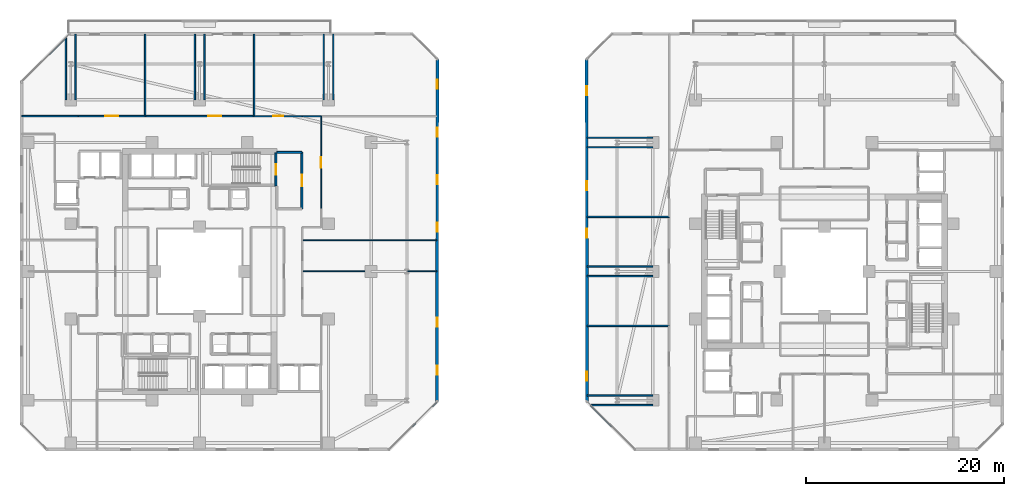
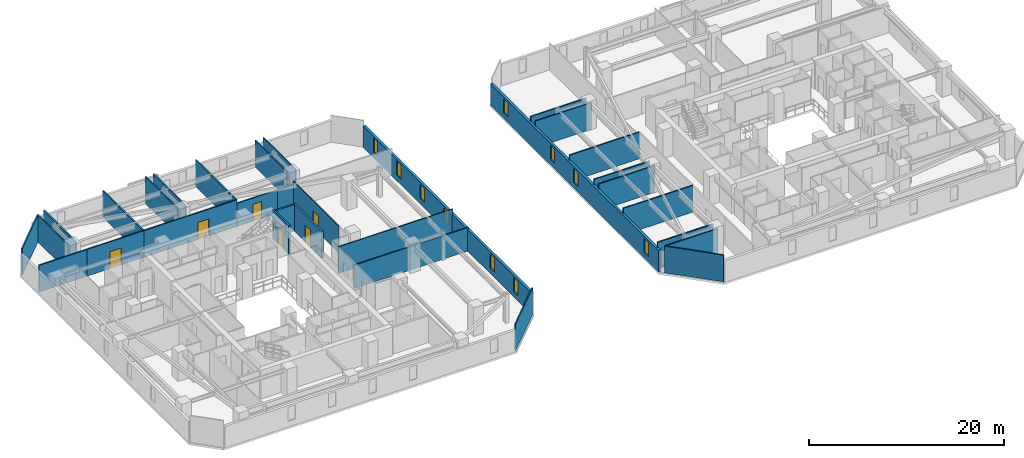
# One storey, part 19 of 31: 32 walls, 10 windows, 6 doors, 16 openings.
"""IFC4 building model written with IfcOpenShell, lengths in metres."""

from ifc_helpers import new_model, si_unit, direction, frame, frame_2d, origin, place, context, subcontext, project, spatial, rectangle, extrude, material, layer, layer_set, type_object, element, fill, save


model = new_model("IFC4")

# Units and contexts
model_context = context("Model", 3, precision=1e-05, world=origin(), true_north=direction((0.0, 1.0)))
body_context = subcontext(model_context, "Body", "Model", "MODEL_VIEW")
ifc_project = project(units=[si_unit("LENGTHUNIT", "METRE"), si_unit("AREAUNIT", "SQUARE_METRE"), si_unit("VOLUMEUNIT", "CUBIC_METRE"), si_unit("PLANEANGLEUNIT", "RADIAN"), si_unit("MASSUNIT", "GRAM", prefix="KILO")], contexts=[model_context])

# Site, building, storey
site_placement = place(None, origin())
site = spatial("IfcSite", under=ifc_project, at=site_placement, CompositionType="ELEMENT")
building_placement = place(site_placement, origin())
building = spatial("IfcBuilding", under=site, at=building_placement, Name="Thornwick Lancets Civic Towers", CompositionType="ELEMENT")
storey_placement = place(building_placement, frame((0.0, 0.0, 90.89990234375)))
storey = spatial("IfcBuildingStorey", under=building, at=storey_placement, Name="L23", CompositionType="ELEMENT", Elevation=90.89990234375)

# Wall, opening, door
ifc_material_1 = material(Name="Concrete blockwork C40/50", Category="masonry")
ifc_layer_1 = layer(ifc_material_1, 0.199951171875, Name="Concrete blockwork C40/50")
ifc_layer_set_1 = layer_set([ifc_layer_1], Name="Concrete blockwork C40/50")
wall_type_1 = type_object("IfcWallType", Name="WALL_COMP_200", PredefinedType="STANDARD", material=ifc_layer_set_1)
wall_1_placement = place(storey_placement, frame((35.800048828125, 33.300048828125, 0.0), z_axis=(0.0, 0.0, 1.0), x_axis=(0.0, 1.0, 0.0)))
wall_1 = element("IfcWall", 1, at=wall_1_placement, inside=storey, type_object=wall_type_1, Name="L23 Partition L23-A-FFLOB2 E2", PredefinedType="STANDARD", context=body_context, shape_type="SweptSolid", body=[
    extrude(rectangle(XDim=5.699951171875, YDim=0.199951171875, at=frame_2d((2.85009765625, 0.0))), origin(), (0.0, 0.0, 1.0), 3.340087890625),
])
opening_1_placement = place(wall_1_placement, frame((2.27490234375, 0.0, 0.0)))
opening_1 = element("IfcOpeningElement", 2, at=opening_1_placement, cuts=wall_1, Name="Opening D-L23-1058", PredefinedType="OPENING", context=body_context, shape_type="SweptSolid", body=[
    extrude(rectangle(XDim=1.14990234375, YDim=2.10009765625, at=frame_2d((0.574951171875, 1.050048828125))), frame((0.0, 0.10986328125, 0.0), z_axis=(0.0, -1.0, 0.0), x_axis=(1.0, 0.0, 0.0)), (0.0, 0.0, 1.0), 0.219970703125),
])
ifc_material_2 = material(Name="Glazed fire-resisting steel", Category="steel")
door_type_1 = type_object("IfcDoorType", Name="DOOR_LOBBY_FD60", OperationType="NOTDEFINED", PredefinedType="DOOR", material=ifc_material_2)
door_1_placement = place(opening_1_placement, origin())
door_1 = element("IfcDoor", 3, at=door_1_placement, inside=storey, type_object=door_type_1, Name="L23 North Firefighting Lobby 2 Door", OperationType="SINGLE_SWING_LEFT", OverallHeight=2.10009765625, OverallWidth=1.14990234375, PredefinedType="DOOR", context=body_context, shape_type="SweptSolid", body=[
    extrude(rectangle(XDim=1.14990234375, YDim=2.10009765625, at=frame_2d((0.574951171875, 1.050048828125))), frame((0.0, 0.02490234375, 0.0), z_axis=(0.0, -1.0, 0.0), x_axis=(1.0, 0.0, 0.0)), (0.0, 0.0, 1.0), 0.050048828125),
])
fill(opening_1, door_1)

# Wall
wall_2_placement = place(storey_placement, frame((35.800048828125, 39.0, 0.0), z_axis=(0.0, 0.0, 1.0), x_axis=(-1.0, 0.0, 0.0)))
element("IfcWall", 4, at=wall_2_placement, inside=storey, type_object=wall_type_1, Name="L23 Partition L23-A-FFLOB2 E3", PredefinedType="STANDARD", context=body_context, shape_type="SweptSolid", body=[
    extrude(rectangle(XDim=2.5, YDim=0.199951171875, at=frame_2d((1.25, 0.0))), origin(), (0.0, 0.0, 1.0), 3.340087890625),
])

# Wall, openings, windows
ifc_material_3 = material(Name="Insulated russet terracotta rainscreen on concrete C40/50", Category="masonry")
ifc_layer_2 = layer(ifc_material_3, 0.300048828125, Name="Insulated russet terracotta rainscreen on concrete C40/50")
ifc_layer_set_2 = layer_set([ifc_layer_2], Name="Insulated russet terracotta rainscreen on concrete C40/50")
wall_type_2 = type_object("IfcWallType", Name="WALL_EXT_RUSSET_300", PredefinedType="STANDARD", material=ifc_layer_set_2)
wall_3_placement = place(storey_placement, frame((49.457275390625, 13.900634765625, 0.0), z_axis=(0.0, 0.0, 1.0), x_axis=(0.000212414941, 0.99999997744, 0.0)))
wall_3 = element("IfcWall", 5, at=wall_3_placement, inside=storey, type_object=wall_type_2, Name="L23 Tower A Terracotta Facade Wall E2", PredefinedType="STANDARD", context=body_context, shape_type="SweptSolid", body=[
    extrude(rectangle(XDim=34.480712890625, YDim=0.300048828125, at=frame_2d((17.240234375, 0.0))), origin(), (0.0, 0.0, 1.0), 2.7001953125),
])
opening_2_placement = place(wall_3_placement, frame((2.699951171875, 0.0, 0.719970703125)))
opening_2 = element("IfcOpeningElement", 6, at=opening_2_placement, cuts=wall_3, Name="Opening WL-01", PredefinedType="OPENING", context=body_context, shape_type="SweptSolid", body=[
    extrude(rectangle(XDim=0.89990234375, YDim=1.75, at=frame_2d((0.449951171875, 0.875))), frame((0.0, 0.16015625, 0.0), z_axis=(0.0, -1.0, 0.0), x_axis=(1.0, 0.0, 0.0)), (0.0, 0.0, 1.0), 0.320068359375),
])
opening_3_placement = place(wall_3_placement, frame((7.5, 0.0, 0.719970703125)))
opening_3 = element("IfcOpeningElement", 7, at=opening_3_placement, cuts=wall_3, Name="Opening WL-01", PredefinedType="OPENING", context=body_context, shape_type="SweptSolid", body=[
    extrude(rectangle(XDim=0.89990234375, YDim=1.75, at=frame_2d((0.449951171875, 0.875))), frame((0.0, 0.16015625, 0.0), z_axis=(0.0, -1.0, 0.0), x_axis=(1.0, 0.0, 0.0)), (0.0, 0.0, 1.0), 0.320068359375),
])
opening_4_placement = place(wall_3_placement, frame((17.10009765625, 0.0, 0.719970703125)))
opening_4 = element("IfcOpeningElement", 8, at=opening_4_placement, cuts=wall_3, Name="Opening WL-01", PredefinedType="OPENING", context=body_context, shape_type="SweptSolid", body=[
    extrude(rectangle(XDim=0.89990234375, YDim=1.75, at=frame_2d((0.449951171875, 0.875))), frame((0.0, 0.16015625, 0.0), z_axis=(0.0, -1.0, 0.0), x_axis=(1.0, 0.0, 0.0)), (0.0, 0.0, 1.0), 0.320068359375),
])
opening_5_placement = place(wall_3_placement, frame((21.89990234375, 0.0, 0.719970703125)))
opening_5 = element("IfcOpeningElement", 9, at=opening_5_placement, cuts=wall_3, Name="Opening WL-01", PredefinedType="OPENING", context=body_context, shape_type="SweptSolid", body=[
    extrude(rectangle(XDim=0.89990234375, YDim=1.75, at=frame_2d((0.449951171875, 0.875))), frame((0.0, 0.16015625, 0.0), z_axis=(0.0, -1.0, 0.0), x_axis=(1.0, 0.0, 0.0)), (0.0, 0.0, 1.0), 0.320068359375),
])
opening_6_placement = place(wall_3_placement, frame((26.699951171875, 0.0, 0.719970703125)))
opening_6 = element("IfcOpeningElement", 10, at=opening_6_placement, cuts=wall_3, Name="Opening WL-01", PredefinedType="OPENING", context=body_context, shape_type="SweptSolid", body=[
    extrude(rectangle(XDim=0.89990234375, YDim=1.75, at=frame_2d((0.449951171875, 0.875))), frame((0.0, 0.16015625, 0.0), z_axis=(0.0, -1.0, 0.0), x_axis=(1.0, 0.0, 0.0)), (0.0, 0.0, 1.0), 0.320068359375),
])
opening_7_placement = place(wall_3_placement, frame((31.5, 0.0, 0.719970703125)))
opening_7 = element("IfcOpeningElement", 11, at=opening_7_placement, cuts=wall_3, Name="Opening WL-01", PredefinedType="OPENING", context=body_context, shape_type="SweptSolid", body=[
    extrude(rectangle(XDim=0.89990234375, YDim=1.75, at=frame_2d((0.449951171875, 0.875))), frame((0.0, 0.16015625, 0.0), z_axis=(0.0, -1.0, 0.0), x_axis=(1.0, 0.0, 0.0)), (0.0, 0.0, 1.0), 0.320068359375),
])
ifc_material_4 = material(Name="Clear low-e double glazing in bronze frame", Category="glass")
window_type = type_object("IfcWindowType", Name="WIN_LANCET_900", PartitioningType="SINGLE_PANEL", PredefinedType="WINDOW", material=ifc_material_4)
window_1_placement = place(opening_2_placement, origin())
window_1 = element("IfcWindow", 12, at=window_1_placement, inside=storey, type_object=window_type, Name="L23 Tower A Staggered Lancet Window E2-1", OverallHeight=1.75, OverallWidth=0.89990234375, PartitioningType="SINGLE_PANEL", PredefinedType="WINDOW", context=body_context, shape_type="SweptSolid", body=[
    extrude(rectangle(XDim=0.89990234375, YDim=1.75, at=frame_2d((0.449951171875, 0.875))), frame((0.0, 0.030029296875, 0.0), z_axis=(0.0, -1.0, 0.0), x_axis=(1.0, 0.0, 0.0)), (0.0, 0.0, 1.0), 0.06005859375),
])
fill(opening_2, window_1)
window_2_placement = place(opening_3_placement, origin())
window_2 = element("IfcWindow", 13, at=window_2_placement, inside=storey, type_object=window_type, Name="L23 Tower A Staggered Lancet Window E2-2", OverallHeight=1.75, OverallWidth=0.89990234375, PartitioningType="SINGLE_PANEL", PredefinedType="WINDOW", context=body_context, shape_type="SweptSolid", body=[
    extrude(rectangle(XDim=0.89990234375, YDim=1.75, at=frame_2d((0.449951171875, 0.875))), frame((0.0, 0.030029296875, 0.0), z_axis=(0.0, -1.0, 0.0), x_axis=(1.0, 0.0, 0.0)), (0.0, 0.0, 1.0), 0.06005859375),
])
fill(opening_3, window_2)
window_3_placement = place(opening_4_placement, origin())
window_3 = element("IfcWindow", 14, at=window_3_placement, inside=storey, type_object=window_type, Name="L23 Tower A Staggered Lancet Window E2-3", OverallHeight=1.75, OverallWidth=0.89990234375, PartitioningType="SINGLE_PANEL", PredefinedType="WINDOW", context=body_context, shape_type="SweptSolid", body=[
    extrude(rectangle(XDim=0.89990234375, YDim=1.75, at=frame_2d((0.449951171875, 0.875))), frame((0.0, 0.030029296875, 0.0), z_axis=(0.0, -1.0, 0.0), x_axis=(1.0, 0.0, 0.0)), (0.0, 0.0, 1.0), 0.06005859375),
])
fill(opening_4, window_3)
window_4_placement = place(opening_5_placement, origin())
window_4 = element("IfcWindow", 15, at=window_4_placement, inside=storey, type_object=window_type, Name="L23 Tower A Staggered Lancet Window E2-4", OverallHeight=1.75, OverallWidth=0.89990234375, PartitioningType="SINGLE_PANEL", PredefinedType="WINDOW", context=body_context, shape_type="SweptSolid", body=[
    extrude(rectangle(XDim=0.89990234375, YDim=1.75, at=frame_2d((0.449951171875, 0.875))), frame((0.0, 0.030029296875, 0.0), z_axis=(0.0, -1.0, 0.0), x_axis=(1.0, 0.0, 0.0)), (0.0, 0.0, 1.0), 0.06005859375),
])
fill(opening_5, window_4)
window_5_placement = place(opening_6_placement, origin())
window_5 = element("IfcWindow", 16, at=window_5_placement, inside=storey, type_object=window_type, Name="L23 Tower A Staggered Lancet Window E2-5", OverallHeight=1.75, OverallWidth=0.89990234375, PartitioningType="SINGLE_PANEL", PredefinedType="WINDOW", context=body_context, shape_type="SweptSolid", body=[
    extrude(rectangle(XDim=0.89990234375, YDim=1.75, at=frame_2d((0.449951171875, 0.875))), frame((0.0, 0.030029296875, 0.0), z_axis=(0.0, -1.0, 0.0), x_axis=(1.0, 0.0, 0.0)), (0.0, 0.0, 1.0), 0.06005859375),
])
fill(opening_6, window_5)
window_6_placement = place(opening_7_placement, origin())
window_6 = element("IfcWindow", 17, at=window_6_placement, inside=storey, type_object=window_type, Name="L23 Tower A Staggered Lancet Window E2-6", OverallHeight=1.75, OverallWidth=0.89990234375, PartitioningType="SINGLE_PANEL", PredefinedType="WINDOW", context=body_context, shape_type="SweptSolid", body=[
    extrude(rectangle(XDim=0.89990234375, YDim=1.75, at=frame_2d((0.449951171875, 0.875))), frame((0.0, 0.030029296875, 0.0), z_axis=(0.0, -1.0, 0.0), x_axis=(1.0, 0.0, 0.0)), (0.0, 0.0, 1.0), 0.06005859375),
])
fill(opening_7, window_6)

wall_4_placement = place(storey_placement, frame((64.535400390625, 48.38134765625, 0.0), z_axis=(0.0, 0.0, 1.0), x_axis=(0.000212414941, -0.99999997744, 0.0)))
wall_4 = element("IfcWall", 18, at=wall_4_placement, inside=storey, type_object=wall_type_2, Name="L23 Tower B Terracotta Facade Wall E6", PredefinedType="STANDARD", context=body_context, shape_type="SweptSolid", body=[
    extrude(rectangle(XDim=34.480712890625, YDim=0.300048828125, at=frame_2d((17.240234375, 0.0))), origin(), (0.0, 0.0, 1.0), 2.7001953125),
])
opening_8_placement = place(wall_4_placement, frame((2.699951171875, 0.0, 0.719970703125)))
opening_8 = element("IfcOpeningElement", 19, at=opening_8_placement, cuts=wall_4, Name="Opening WL-01", PredefinedType="OPENING", context=body_context, shape_type="SweptSolid", body=[
    extrude(rectangle(XDim=0.89990234375, YDim=1.75, at=frame_2d((0.449951171875, 0.875))), frame((0.0, 0.16015625, 0.0), z_axis=(0.0, -1.0, 0.0), x_axis=(1.0, 0.0, 0.0)), (0.0, 0.0, 1.0), 0.320068359375),
])
opening_9_placement = place(wall_4_placement, frame((12.300048828125, 0.0, 0.719970703125)))
opening_9 = element("IfcOpeningElement", 20, at=opening_9_placement, cuts=wall_4, Name="Opening WL-01", PredefinedType="OPENING", context=body_context, shape_type="SweptSolid", body=[
    extrude(rectangle(XDim=0.89990234375, YDim=1.75, at=frame_2d((0.449951171875, 0.875))), frame((0.0, 0.16015625, 0.0), z_axis=(0.0, -1.0, 0.0), x_axis=(1.0, 0.0, 0.0)), (0.0, 0.0, 1.0), 0.320068359375),
])
opening_10_placement = place(wall_4_placement, frame((17.10009765625, 0.0, 0.719970703125)))
opening_10 = element("IfcOpeningElement", 21, at=opening_10_placement, cuts=wall_4, Name="Opening WL-01", PredefinedType="OPENING", context=body_context, shape_type="SweptSolid", body=[
    extrude(rectangle(XDim=0.89990234375, YDim=1.75, at=frame_2d((0.449951171875, 0.875))), frame((0.0, 0.16015625, 0.0), z_axis=(0.0, -1.0, 0.0), x_axis=(1.0, 0.0, 0.0)), (0.0, 0.0, 1.0), 0.320068359375),
])
opening_11_placement = place(wall_4_placement, frame((31.5, 0.0, 0.719970703125)))
opening_11 = element("IfcOpeningElement", 22, at=opening_11_placement, cuts=wall_4, Name="Opening WL-01", PredefinedType="OPENING", context=body_context, shape_type="SweptSolid", body=[
    extrude(rectangle(XDim=0.89990234375, YDim=1.75, at=frame_2d((0.449951171875, 0.875))), frame((0.0, 0.16015625, 0.0), z_axis=(0.0, -1.0, 0.0), x_axis=(1.0, 0.0, 0.0)), (0.0, 0.0, 1.0), 0.320068359375),
])
window_7_placement = place(opening_8_placement, origin())
window_7 = element("IfcWindow", 23, at=window_7_placement, inside=storey, type_object=window_type, Name="L23 Tower B Staggered Lancet Window E6-1", OverallHeight=1.75, OverallWidth=0.89990234375, PartitioningType="SINGLE_PANEL", PredefinedType="WINDOW", context=body_context, shape_type="SweptSolid", body=[
    extrude(rectangle(XDim=0.89990234375, YDim=1.75, at=frame_2d((0.449951171875, 0.875))), frame((0.0, 0.030029296875, 0.0), z_axis=(0.0, -1.0, 0.0), x_axis=(1.0, 0.0, 0.0)), (0.0, 0.0, 1.0), 0.06005859375),
])
fill(opening_8, window_7)
window_8_placement = place(opening_9_placement, origin())
window_8 = element("IfcWindow", 24, at=window_8_placement, inside=storey, type_object=window_type, Name="L23 Tower B Staggered Lancet Window E6-2", OverallHeight=1.75, OverallWidth=0.89990234375, PartitioningType="SINGLE_PANEL", PredefinedType="WINDOW", context=body_context, shape_type="SweptSolid", body=[
    extrude(rectangle(XDim=0.89990234375, YDim=1.75, at=frame_2d((0.449951171875, 0.875))), frame((0.0, 0.030029296875, 0.0), z_axis=(0.0, -1.0, 0.0), x_axis=(1.0, 0.0, 0.0)), (0.0, 0.0, 1.0), 0.06005859375),
])
fill(opening_9, window_8)
window_9_placement = place(opening_10_placement, origin())
window_9 = element("IfcWindow", 25, at=window_9_placement, inside=storey, type_object=window_type, Name="L23 Tower B Staggered Lancet Window E6-3", OverallHeight=1.75, OverallWidth=0.89990234375, PartitioningType="SINGLE_PANEL", PredefinedType="WINDOW", context=body_context, shape_type="SweptSolid", body=[
    extrude(rectangle(XDim=0.89990234375, YDim=1.75, at=frame_2d((0.449951171875, 0.875))), frame((0.0, 0.030029296875, 0.0), z_axis=(0.0, -1.0, 0.0), x_axis=(1.0, 0.0, 0.0)), (0.0, 0.0, 1.0), 0.06005859375),
])
fill(opening_10, window_9)
window_10_placement = place(opening_11_placement, origin())
window_10 = element("IfcWindow", 26, at=window_10_placement, inside=storey, type_object=window_type, Name="L23 Tower B Staggered Lancet Window E6-4", OverallHeight=1.75, OverallWidth=0.89990234375, PartitioningType="SINGLE_PANEL", PredefinedType="WINDOW", context=body_context, shape_type="SweptSolid", body=[
    extrude(rectangle(XDim=0.89990234375, YDim=1.75, at=frame_2d((0.449951171875, 0.875))), frame((0.0, 0.030029296875, 0.0), z_axis=(0.0, -1.0, 0.0), x_axis=(1.0, 0.0, 0.0)), (0.0, 0.0, 1.0), 0.06005859375),
])
fill(opening_11, window_10)

# Walls
ifc_material_5 = material(Name="Acoustic gypsum board partition")
ifc_layer_3 = layer(ifc_material_5, 0.1201171875, Name="Acoustic gypsum board partition")
ifc_layer_set_3 = layer_set([ifc_layer_3], Name="Acoustic gypsum board partition")
wall_type_3 = type_object("IfcWallType", Name="WALL_PART_120", PredefinedType="PARTITIONING", material=ifc_layer_set_3)
wall_5_placement = place(storey_placement, frame((35.85009765625, 27.0, 0.0), z_axis=(0.0, 0.0, 1.0), x_axis=(1.0, 0.0, 0.0)))
element("IfcWall", 27, at=wall_5_placement, inside=storey, type_object=wall_type_3, Name="L23 Partition L23-A-E1 E5", PredefinedType="PARTITIONING", context=body_context, shape_type="SweptSolid", body=[
    extrude(rectangle(XDim=13.56982421875, YDim=0.1201171875, at=frame_2d((6.784912109375, 0.0))), origin(), (0.0, 0.0, 1.0), 2.932373046875),
])
wall_6_placement = place(storey_placement, frame((49.419921875, 13.865478515625, 0.0), z_axis=(0.0, 0.0, 1.0), x_axis=(-0.707106781187, -0.707106781187, 0.0)))
element("IfcWall", 28, at=wall_6_placement, inside=storey, type_object=wall_type_3, Name="L23 Partition L23-A-E1 E7", PredefinedType="PARTITIONING", context=body_context, shape_type="SweptSolid", body=[
    extrude(rectangle(XDim=6.767578125, YDim=0.1201171875, at=frame_2d((3.3837890625, 0.0))), origin(), (0.0, 0.0, 1.0), 3.340087890625),
])
wall_7_placement = place(storey_placement, frame((35.85009765625, 30.14990234375, 0.0), z_axis=(0.0, 0.0, 1.0), x_axis=(1.0, 0.0, 0.0)))
element("IfcWall", 29, at=wall_7_placement, inside=storey, type_object=wall_type_3, Name="L23 Partition L23-A-E2 E2", PredefinedType="PARTITIONING", context=body_context, shape_type="SweptSolid", body=[
    extrude(rectangle(XDim=13.56982421875, YDim=0.1201171875, at=frame_2d((6.784912109375, 0.0))), origin(), (0.0, 0.0, 1.0), 3.340087890625),
])

# Wall, opening, door
wall_8_placement = place(storey_placement, frame((37.75, 33.300048828125, 0.0), z_axis=(0.0, 0.0, 1.0), x_axis=(0.0, 1.0, 0.0)))
wall_8 = element("IfcWall", 30, at=wall_8_placement, inside=storey, type_object=wall_type_3, Name="L23 Partition L23-A-E3 E3", PredefinedType="PARTITIONING", context=body_context, shape_type="SweptSolid", body=[
    extrude(rectangle(XDim=9.349853515625, YDim=0.1201171875, at=frame_2d((4.6748046875, 0.0))), origin(), (0.0, 0.0, 1.0), 3.340087890625),
])
opening_12_placement = place(wall_8_placement, frame((4.14990234375, 0.0, 0.0)))
opening_12 = element("IfcOpeningElement", 31, at=opening_12_placement, cuts=wall_8, Name="Opening D-L23-1086", PredefinedType="OPENING", context=body_context, shape_type="SweptSolid", body=[
    extrude(rectangle(XDim=1.050048828125, YDim=2.10009765625, at=frame_2d((0.52490234375, 1.050048828125))), frame((0.0, 0.070068359375, 0.0), z_axis=(0.0, -1.0, 0.0), x_axis=(1.0, 0.0, 0.0)), (0.0, 0.0, 1.0), 0.14013671875),
])
ifc_material_6 = material(Name="Glazed European oak executive doorset")
door_type_2 = type_object("IfcDoorType", Name="DOOR_OFFICE_1050", OperationType="NOTDEFINED", PredefinedType="DOOR", material=ifc_material_6)
door_2_placement = place(opening_12_placement, origin())
door_2 = element("IfcDoor", 32, at=door_2_placement, inside=storey, type_object=door_type_2, Name="L23 Tower A Civic Seminar Room Door", OperationType="SINGLE_SWING_LEFT", OverallHeight=2.10009765625, OverallWidth=1.050048828125, PredefinedType="DOOR", context=body_context, shape_type="SweptSolid", body=[
    extrude(rectangle(XDim=1.050048828125, YDim=2.10009765625, at=frame_2d((0.52490234375, 1.050048828125))), frame((0.0, 0.02490234375, 0.0), z_axis=(0.0, -1.0, 0.0), x_axis=(1.0, 0.0, 0.0)), (0.0, 0.0, 1.0), 0.050048828125),
])
fill(opening_12, door_2)

# Wall
wall_9_placement = place(storey_placement, frame((37.75, 42.64990234375, 0.0), z_axis=(0.0, 0.0, 1.0), x_axis=(-1.0, 0.0, 0.0)))
element("IfcWall", 33, at=wall_9_placement, inside=storey, type_object=wall_type_3, Name="L23 Partition L23-A-N-OFF E1", PredefinedType="PARTITIONING", context=body_context, shape_type="SweptSolid", body=[
    extrude(rectangle(XDim=1.89990234375, YDim=0.1201171875, at=frame_2d((0.949951171875, 0.0))), origin(), (0.0, 0.0, 1.0), 2.89501953125),
])

# Wall, opening, door
wall_10_placement = place(storey_placement, frame((35.85009765625, 42.64990234375, 0.0), z_axis=(0.0, 0.0, 1.0), x_axis=(-1.0, 0.0, 0.0)))
wall_10 = element("IfcWall", 34, at=wall_10_placement, inside=storey, type_object=wall_type_3, Name="L23 Partition L23-A-N-OFF E2", PredefinedType="PARTITIONING", context=body_context, shape_type="SweptSolid", body=[
    extrude(rectangle(XDim=4.85009765625, YDim=0.1201171875, at=frame_2d((2.425048828125, 0.0))), origin(), (0.0, 0.0, 1.0), 2.89501953125),
])
opening_13_placement = place(wall_10_placement, frame((1.89990234375, 0.0, 0.0)))
opening_13 = element("IfcOpeningElement", 35, at=opening_13_placement, cuts=wall_10, Name="Opening D-L23-1091", PredefinedType="OPENING", context=body_context, shape_type="SweptSolid", body=[
    extrude(rectangle(XDim=1.050048828125, YDim=2.10009765625, at=frame_2d((0.52490234375, 1.050048828125))), frame((0.0, 0.070068359375, 0.0), z_axis=(0.0, -1.0, 0.0), x_axis=(1.0, 0.0, 0.0)), (0.0, 0.0, 1.0), 0.14013671875),
])
door_3_placement = place(opening_13_placement, origin())
door_3 = element("IfcDoor", 36, at=door_3_placement, inside=storey, type_object=door_type_2, Name="L23 Tower A North-East Policy Office Door", OperationType="SINGLE_SWING_RIGHT", OverallHeight=2.10009765625, OverallWidth=1.050048828125, PredefinedType="DOOR", context=body_context, shape_type="SweptSolid", body=[
    extrude(rectangle(XDim=1.050048828125, YDim=2.10009765625, at=frame_2d((0.52490234375, 1.050048828125))), frame((0.0, 0.02490234375, 0.0), z_axis=(0.0, -1.0, 0.0), x_axis=(1.0, 0.0, 0.0)), (0.0, 0.0, 1.0), 0.050048828125),
])
fill(opening_13, door_3)

# Walls
for number, where, z_axis, x_axis, name in (
    (37, (38.02001953125, 50.919921875, 0.0), (0.0, 0.0, 1.0), (0.0, -1.0, 0.0), "L23 Partition L23-A-N-OFF E5"),
    (38, (38.97998046875, 44.300048828125, 0.0), (0.0, 0.0, 1.0), (0.0, 1.0, 0.0), "L23 Partition L23-A-N-OFF E7"),
    (39, (64.580078125, 39.52001953125, 0.0), (0.0, 0.0, 1.0), (1.0, 0.0, 0.0), "L23 Partition L23-B-N-OFF E2"),
    (40, (71.199951171875, 40.47998046875, 0.0), (0.0, 0.0, 1.0), (-1.0, 0.0, 0.0), "L23 Partition L23-B-N-OFF E4"),
):
    element("IfcWall", number, at=place(storey_placement, frame(where, z_axis=z_axis, x_axis=x_axis)), inside=storey, type_object=wall_type_3, Name=name, PredefinedType="PARTITIONING", context=body_context, shape_type="SweptSolid", body=[
        extrude(rectangle(XDim=6.619873046875, YDim=0.1201171875, at=frame_2d((3.31005859375, 0.0))), origin(), (0.0, 0.0, 1.0), 3.340087890625),
    ])
ifc_material_7 = material(Name="Twin-stud acoustic gypsum board")
ifc_layer_4 = layer(ifc_material_7, 0.14990234375, Name="Twin-stud acoustic gypsum board")
ifc_layer_set_4 = layer_set([ifc_layer_4], Name="Twin-stud acoustic gypsum board")
wall_type_4 = type_object("IfcWallType", Name="WALL_PART_150", PredefinedType="PARTITIONING", material=ifc_layer_set_4)
wall_11_placement = place(storey_placement, frame((13.25, 42.64990234375, 0.0), z_axis=(0.0, 0.0, 1.0), x_axis=(-1.0, 0.0, 0.0)))
element("IfcWall", 41, at=wall_11_placement, inside=storey, type_object=wall_type_4, Name="L23 Partition L23-A-N-CONF E1", PredefinedType="PARTITIONING", context=body_context, shape_type="SweptSolid", body=[
    extrude(rectangle(XDim=5.669921875, YDim=0.14990234375, at=frame_2d((2.8349609375, 0.0))), origin(), (0.0, 0.0, 1.0), 3.340087890625),
])
wall_12_placement = place(storey_placement, frame((7.580078125, 46.134521484375, 0.0), z_axis=(0.0, 0.0, 1.0), x_axis=(0.707106781187, 0.707106781187, 0.0)))
element("IfcWall", 42, at=wall_12_placement, inside=storey, type_object=wall_type_4, Name="L23 Partition L23-A-N-CONF E3", PredefinedType="PARTITIONING", context=body_context, shape_type="SweptSolid", body=[
    extrude(rectangle(XDim=6.279052734375, YDim=0.14990234375, at=frame_2d((3.1396484375, 0.0))), origin(), (0.0, 0.0, 1.0), 3.340087890625),
])
wall_13_placement = place(storey_placement, frame((12.02001953125, 50.574462890625, 0.0), z_axis=(0.0, 0.0, 1.0), x_axis=(0.0, -1.0, 0.0)))
element("IfcWall", 43, at=wall_13_placement, inside=storey, type_object=wall_type_4, Name="L23 Partition L23-A-N-CONF E4", PredefinedType="PARTITIONING", context=body_context, shape_type="SweptSolid", body=[
    extrude(rectangle(XDim=6.2744140625, YDim=0.14990234375, at=frame_2d((3.13720703125, 0.0))), origin(), (0.0, 0.0, 1.0), 3.340087890625),
])
wall_14_placement = place(storey_placement, frame((12.97998046875, 44.300048828125, 0.0), z_axis=(0.0, 0.0, 1.0), x_axis=(0.0, 1.0, 0.0)))
element("IfcWall", 44, at=wall_14_placement, inside=storey, type_object=wall_type_4, Name="L23 Partition L23-A-N-CONF E6", PredefinedType="PARTITIONING", context=body_context, shape_type="SweptSolid", body=[
    extrude(rectangle(XDim=6.619873046875, YDim=0.14990234375, at=frame_2d((3.31005859375, 0.0))), origin(), (0.0, 0.0, 1.0), 3.340087890625),
])
wall_15_placement = place(storey_placement, frame((20.0, 50.919921875, 0.0), z_axis=(0.0, 0.0, 1.0), x_axis=(0.0, -1.0, 0.0)))
element("IfcWall", 45, at=wall_15_placement, inside=storey, type_object=wall_type_4, Name="L23 Partition L23-A-N-CONF E8", PredefinedType="PARTITIONING", context=body_context, shape_type="SweptSolid", body=[
    extrude(rectangle(XDim=8.27001953125, YDim=0.14990234375, at=frame_2d((4.135009765625, 0.0))), origin(), (0.0, 0.0, 1.0), 3.340087890625),
])

# Wall, opening, door
wall_16_placement = place(storey_placement, frame((20.0, 42.64990234375, 0.0), z_axis=(0.0, 0.0, 1.0), x_axis=(-1.0, 0.0, 0.0)))
wall_16 = element("IfcWall", 46, at=wall_16_placement, inside=storey, type_object=wall_type_4, Name="L23 Partition L23-A-N-CONF E9", PredefinedType="PARTITIONING", context=body_context, shape_type="SweptSolid", body=[
    extrude(rectangle(XDim=6.75, YDim=0.14990234375, at=frame_2d((3.375, 0.0))), origin(), (0.0, 0.0, 1.0), 3.340087890625),
])
opening_14_placement = place(wall_16_placement, frame((2.72509765625, 0.0, 0.0)))
opening_14 = element("IfcOpeningElement", 47, at=opening_14_placement, cuts=wall_16, Name="Opening D-L23-1089", PredefinedType="OPENING", context=body_context, shape_type="SweptSolid", body=[
    extrude(rectangle(XDim=1.300048828125, YDim=2.1201171875, at=frame_2d((0.64990234375, 1.06005859375))), frame((0.0, 0.0849609375, 0.0), z_axis=(0.0, -1.0, 0.0), x_axis=(1.0, 0.0, 0.0)), (0.0, 0.0, 1.0), 0.169921875),
])
ifc_material_8 = material(Name="Acoustic oak leaf-and-a-half doorset")
door_type_3 = type_object("IfcDoorType", Name="DOOR_MEET_1300", OperationType="DOUBLE_DOOR_SINGLE_SWING", PredefinedType="DOOR", material=ifc_material_8)
door_4_placement = place(opening_14_placement, origin())
door_4 = element("IfcDoor", 48, at=door_4_placement, inside=storey, type_object=door_type_3, Name="L23 Tower A North-West Conference Room Door", OperationType="DOUBLE_DOOR_SINGLE_SWING", OverallHeight=2.1201171875, OverallWidth=1.300048828125, PredefinedType="DOOR", context=body_context, shape_type="SweptSolid", body=[
    extrude(rectangle(XDim=1.300048828125, YDim=2.1201171875, at=frame_2d((0.64990234375, 1.06005859375))), frame((0.0, 0.02490234375, 0.0), z_axis=(0.0, -1.0, 0.0), x_axis=(1.0, 0.0, 0.0)), (0.0, 0.0, 1.0), 0.050048828125),
])
fill(opening_14, door_4)

# Walls
for number, where, z_axis, x_axis, name in (
    (49, (25.02001953125, 50.919921875, 0.0), (0.0, 0.0, 1.0), (0.0, -1.0, 0.0), "L23 Partition L23-A-N-MEET E3"),
    (50, (25.97998046875, 44.300048828125, 0.0), (0.0, 0.0, 1.0), (0.0, 1.0, 0.0), "L23 Partition L23-A-N-MEET E5"),
):
    element("IfcWall", number, at=place(storey_placement, frame(where, z_axis=z_axis, x_axis=x_axis)), inside=storey, type_object=wall_type_4, Name=name, PredefinedType="PARTITIONING", context=body_context, shape_type="SweptSolid", body=[
        extrude(rectangle(XDim=6.619873046875, YDim=0.14990234375, at=frame_2d((3.31005859375, 0.0))), origin(), (0.0, 0.0, 1.0), 3.340087890625),
    ])
wall_17_placement = place(storey_placement, frame((31.0, 50.919921875, 0.0), z_axis=(0.0, 0.0, 1.0), x_axis=(0.0, -1.0, 0.0)))
element("IfcWall", 51, at=wall_17_placement, inside=storey, type_object=wall_type_4, Name="L23 Partition L23-A-N-MEET E7", PredefinedType="PARTITIONING", context=body_context, shape_type="SweptSolid", body=[
    extrude(rectangle(XDim=8.27001953125, YDim=0.14990234375, at=frame_2d((4.135009765625, 0.0))), origin(), (0.0, 0.0, 1.0), 3.340087890625),
])

# Wall, opening, door
wall_18_placement = place(storey_placement, frame((31.0, 42.64990234375, 0.0), z_axis=(0.0, 0.0, 1.0), x_axis=(-1.0, 0.0, 0.0)))
wall_18 = element("IfcWall", 52, at=wall_18_placement, inside=storey, type_object=wall_type_4, Name="L23 Partition L23-A-N-MEET E8", PredefinedType="PARTITIONING", context=body_context, shape_type="SweptSolid", body=[
    extrude(rectangle(XDim=11.0, YDim=0.14990234375, at=frame_2d((5.5, 0.0))), origin(), (0.0, 0.0, 1.0), 3.340087890625),
])
opening_15_placement = place(wall_18_placement, frame((3.31005859375, 0.0, 0.0)))
opening_15 = element("IfcOpeningElement", 53, at=opening_15_placement, cuts=wall_18, Name="Opening D-L23-1090", PredefinedType="OPENING", context=body_context, shape_type="SweptSolid", body=[
    extrude(rectangle(XDim=1.300048828125, YDim=2.1201171875, at=frame_2d((0.64990234375, 1.06005859375))), frame((0.0, 0.0849609375, 0.0), z_axis=(0.0, -1.0, 0.0), x_axis=(1.0, 0.0, 0.0)), (0.0, 0.0, 1.0), 0.169921875),
])
door_5_placement = place(opening_15_placement, origin())
door_5 = element("IfcDoor", 54, at=door_5_placement, inside=storey, type_object=door_type_3, Name="L23 Tower A North Briefing Chamber Door", OperationType="DOUBLE_DOOR_SINGLE_SWING", OverallHeight=2.1201171875, OverallWidth=1.300048828125, PredefinedType="DOOR", context=body_context, shape_type="SweptSolid", body=[
    extrude(rectangle(XDim=1.300048828125, YDim=2.1201171875, at=frame_2d((0.64990234375, 1.06005859375))), frame((0.0, 0.02490234375, 0.0), z_axis=(0.0, -1.0, 0.0), x_axis=(1.0, 0.0, 0.0)), (0.0, 0.0, 1.0), 0.050048828125),
])
fill(opening_15, door_5)

# Walls
wall_19_placement = place(storey_placement, frame((69.365478515625, 9.080078125, 0.0), z_axis=(0.0, 0.0, 1.0), x_axis=(-0.707106781187, 0.707106781187, 0.0)))
element("IfcWall", 55, at=wall_19_placement, inside=storey, type_object=wall_type_4, Name="L23 Partition L23-B-N-CONF E3", PredefinedType="PARTITIONING", context=body_context, shape_type="SweptSolid", body=[
    extrude(rectangle(XDim=6.279052734375, YDim=0.14990234375, at=frame_2d((3.1396484375, 0.0))), origin(), (0.0, 0.0, 1.0), 3.340087890625),
])
wall_20_placement = place(storey_placement, frame((64.925537109375, 13.52001953125, 0.0), z_axis=(0.0, 0.0, 1.0), x_axis=(1.0, 0.0, 0.0)))
element("IfcWall", 56, at=wall_20_placement, inside=storey, type_object=wall_type_4, Name="L23 Partition L23-B-N-CONF E4", PredefinedType="PARTITIONING", context=body_context, shape_type="SweptSolid", body=[
    extrude(rectangle(XDim=6.2744140625, YDim=0.14990234375, at=frame_2d((3.13720703125, 0.0))), origin(), (0.0, 0.0, 1.0), 3.340087890625),
])
wall_21_placement = place(storey_placement, frame((71.199951171875, 14.47998046875, 0.0), z_axis=(0.0, 0.0, 1.0), x_axis=(-1.0, 0.0, 0.0)))
element("IfcWall", 57, at=wall_21_placement, inside=storey, type_object=wall_type_4, Name="L23 Partition L23-B-N-CONF E6", PredefinedType="PARTITIONING", context=body_context, shape_type="SweptSolid", body=[
    extrude(rectangle(XDim=6.619873046875, YDim=0.14990234375, at=frame_2d((3.31005859375, 0.0))), origin(), (0.0, 0.0, 1.0), 3.340087890625),
])
wall_22_placement = place(storey_placement, frame((64.580078125, 21.5, 0.0), z_axis=(0.0, 0.0, 1.0), x_axis=(1.0, 0.0, 0.0)))
element("IfcWall", 58, at=wall_22_placement, inside=storey, type_object=wall_type_4, Name="L23 Partition L23-B-N-CONF E8", PredefinedType="PARTITIONING", context=body_context, shape_type="SweptSolid", body=[
    extrude(rectangle(XDim=8.27001953125, YDim=0.14990234375, at=frame_2d((4.135009765625, 0.0))), origin(), (0.0, 0.0, 1.0), 3.340087890625),
])
for number, where, z_axis, x_axis, name in (
    (59, (64.580078125, 26.52001953125, 0.0), (0.0, 0.0, 1.0), (1.0, 0.0, 0.0), "L23 Partition L23-B-N-MEET E3"),
    (60, (71.199951171875, 27.47998046875, 0.0), (0.0, 0.0, 1.0), (-1.0, 0.0, 0.0), "L23 Partition L23-B-N-MEET E5"),
):
    element("IfcWall", number, at=place(storey_placement, frame(where, z_axis=z_axis, x_axis=x_axis)), inside=storey, type_object=wall_type_4, Name=name, PredefinedType="PARTITIONING", context=body_context, shape_type="SweptSolid", body=[
        extrude(rectangle(XDim=6.619873046875, YDim=0.14990234375, at=frame_2d((3.31005859375, 0.0))), origin(), (0.0, 0.0, 1.0), 3.340087890625),
    ])
wall_23_placement = place(storey_placement, frame((64.580078125, 32.5, 0.0), z_axis=(0.0, 0.0, 1.0), x_axis=(1.0, 0.0, 0.0)))
element("IfcWall", 61, at=wall_23_placement, inside=storey, type_object=wall_type_4, Name="L23 Partition L23-B-N-MEET E7", PredefinedType="PARTITIONING", context=body_context, shape_type="SweptSolid", body=[
    extrude(rectangle(XDim=8.27001953125, YDim=0.14990234375, at=frame_2d((4.135009765625, 0.0))), origin(), (0.0, 0.0, 1.0), 3.340087890625),
])

# Wall, opening, door
ifc_material_9 = material(Name="Concrete C40/50", Category="concrete")
ifc_layer_5 = layer(ifc_material_9, 0.199951171875, Name="Concrete C40/50")
ifc_layer_set_5 = layer_set([ifc_layer_5], Name="Concrete C40/50")
wall_type_5 = type_object("IfcWallType", Name="WALL_SHAFT_200", PredefinedType="SHEAR", material=ifc_layer_set_5)
wall_24_placement = place(storey_placement, frame((33.199951171875, 38.949951171875, 0.0), z_axis=(0.0, 0.0, 1.0), x_axis=(0.0, -1.0, 0.0)))
wall_24 = element("IfcWall", 62, at=wall_24_placement, inside=storey, type_object=wall_type_5, Name="L23 ST-A2 Fire Stair Core Wall NEAR", PredefinedType="SHEAR", context=body_context, shape_type="SweptSolid", body=[
    extrude(rectangle(XDim=3.349853515625, YDim=0.199951171875, at=frame_2d((1.6748046875, 0.0))), origin(), (0.0, 0.0, 1.0), 3.60009765625),
])
opening_16_placement = place(wall_24_placement, frame((1.125, 0.0, 0.0)))
opening_16 = element("IfcOpeningElement", 63, at=opening_16_placement, cuts=wall_24, Name="Opening D-ST-A2-L23", PredefinedType="OPENING", context=body_context, shape_type="SweptSolid", body=[
    extrude(rectangle(XDim=1.10009765625, YDim=2.10009765625, at=frame_2d((0.550048828125, 1.050048828125))), frame((0.0, 0.10986328125, 0.0), z_axis=(0.0, -1.0, 0.0), x_axis=(1.0, 0.0, 0.0)), (0.0, 0.0, 1.0), 0.219970703125),
])
ifc_material_10 = material(Name="Fire-resisting steel and hardwood", Category="steel")
door_type_4 = type_object("IfcDoorType", Name="DOOR_STAIR_FD60", OperationType="NOTDEFINED", PredefinedType="DOOR", material=ifc_material_10)
door_6_placement = place(opening_16_placement, origin())
door_6 = element("IfcDoor", 64, at=door_6_placement, inside=storey, type_object=door_type_4, Name="L23 ST-A2 Exit Stair Door", OperationType="SINGLE_SWING_LEFT", OverallHeight=2.10009765625, OverallWidth=1.10009765625, PredefinedType="DOOR", context=body_context, shape_type="SweptSolid", body=[
    extrude(rectangle(XDim=1.10009765625, YDim=2.10009765625, at=frame_2d((0.550048828125, 1.050048828125))), frame((0.0, 0.02490234375, 0.0), z_axis=(0.0, -1.0, 0.0), x_axis=(1.0, 0.0, 0.0)), (0.0, 0.0, 1.0), 0.050048828125),
])
fill(opening_16, door_6)

save(model, "model.ifc")
